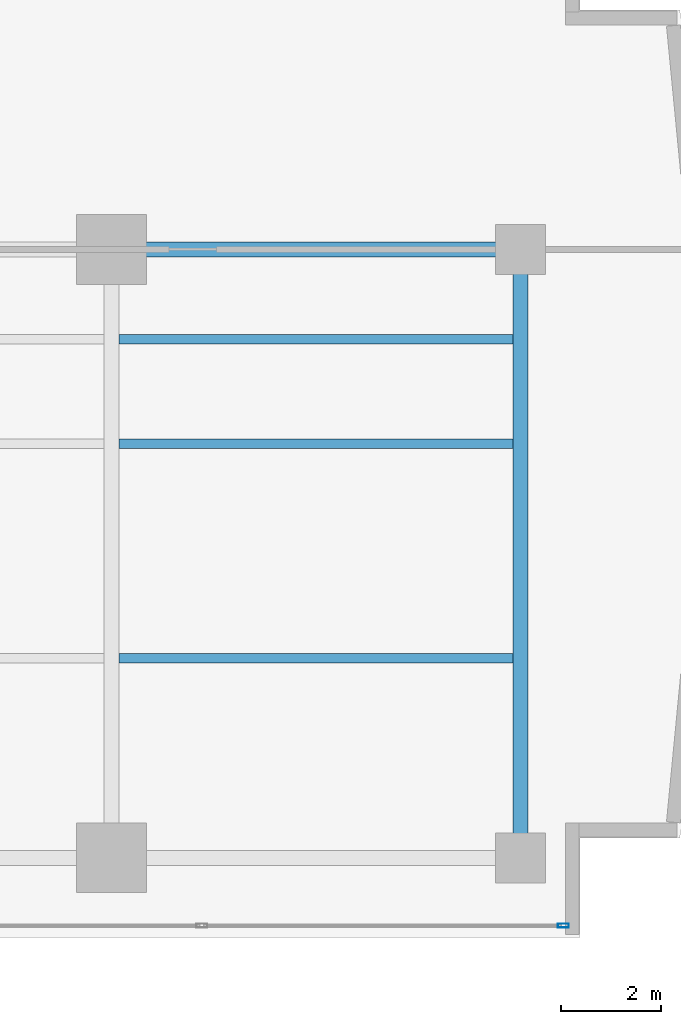
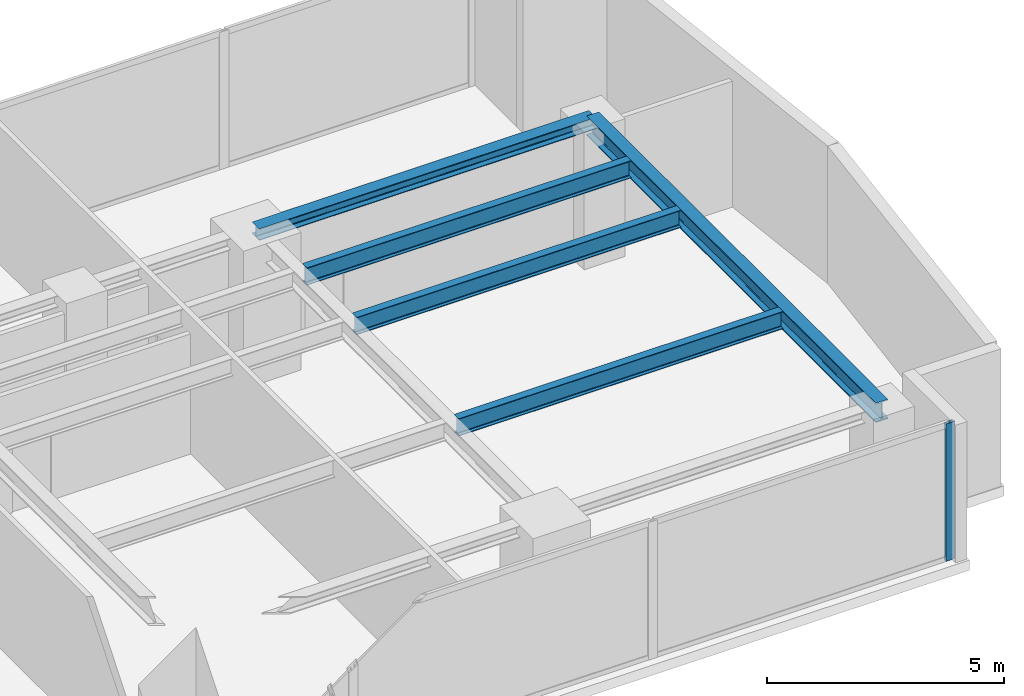
# One storey, part 13 of 28: 5 beams, 1 member, 1 element without a shape of its own.
"""IFC4 building model written with IfcOpenShell, lengths in metres."""

from ifc_helpers import new_model, si_unit, direction, frame, origin, origin_with_axes, origin_2d, place, context, subcontext, project, spatial, hollow_rectangle, i_section, extrude, source, transform, mapped, material, layer, layer_set, material_profile, profile_set, type_object, element, aggregate, save


model = new_model("IFC4")

# Units and contexts
model_context = context("Model", 3, precision=1e-05, world=origin(), true_north=direction((0.0, 1.0)))
body_context = subcontext(model_context, "Body", "Model", "MODEL_VIEW")
ifc_project = project(units=[si_unit("LENGTHUNIT", "METRE"), si_unit("AREAUNIT", "SQUARE_METRE"), si_unit("VOLUMEUNIT", "CUBIC_METRE"), si_unit("PLANEANGLEUNIT", "RADIAN"), si_unit("MASSUNIT", "GRAM", prefix="KILO")], contexts=[model_context])

# Site, building, storey
site_placement = place(None, origin())
site = spatial("IfcSite", under=ifc_project, at=site_placement, CompositionType="ELEMENT")
building_placement = place(site_placement, origin())
building = spatial("IfcBuilding", under=site, at=building_placement, Name="Kolvaren Waterfront Exchange", CompositionType="ELEMENT")
storey_placement = place(building_placement, frame((0.0, 0.0, 133.5)))
storey = spatial("IfcBuildingStorey", under=building, at=storey_placement, Name="L34", CompositionType="ELEMENT", Elevation=133.5)

# Beams
ifc_material_1 = material(Name="Steel S355", Category="steel")
ifc_material_profile_1 = material_profile(ifc_material_1, i_section(OverallWidth=0.300048828125, OverallDepth=0.300048828125, WebThickness=0.010986328125, FlangeThickness=0.01904296875, FilletRadius=0.027099609375, at=origin_2d()), Name="HEB300")
ifc_profile_set_1 = profile_set([ifc_material_profile_1], Name="Steel S355")
beam_type_1 = type_object("IfcBeamType", Name="STR-BM-HEB300", PredefinedType="SPANDREL", material=ifc_profile_set_1)
beam_1_placement = place(storey_placement, frame((45.60009765625, 17.39990234375, 3.389892578125), z_axis=(1.0, 0.0, 0.0), x_axis=(0.0, 1.0, 0.0)))
element("IfcBeam", 1, at=beam_1_placement, inside=storey, type_object=beam_type_1, Name="L34 east-arm spandrel N4", PredefinedType="SPANDREL", context=body_context, shape_type="SweptSolid", body=[
    extrude(i_section(OverallWidth=0.300048828125, OverallDepth=0.300048828125, WebThickness=0.010986328125, FlangeThickness=0.01904296875, FilletRadius=0.027099609375, at=origin_2d()), origin(), (0.0, 0.0, 1.0), 8.199951171875),
])
ifc_material_profile_2 = material_profile(ifc_material_1, i_section(OverallWidth=0.300048828125, OverallDepth=0.5, WebThickness=0.014404296875, FlangeThickness=0.028076171875, FilletRadius=0.027099609375, at=origin_2d()), Name="HEB500")
ifc_profile_set_2 = profile_set([ifc_material_profile_2], Name="Steel S355")
beam_type_2 = type_object("IfcBeamType", Name="STR-BM-HEB500", PredefinedType="BEAM", material=ifc_profile_set_2)
beam_2_placement = place(storey_placement, frame((53.800048828125, 5.199951171875, 3.2900390625), z_axis=(0.0, 1.0, 0.0), x_axis=(-1.0, 0.0, 0.0)))
element("IfcBeam", 2, at=beam_2_placement, inside=storey, type_object=beam_type_2, Name="L34 east-arm transverse girder X53", PredefinedType="BEAM", context=body_context, shape_type="SweptSolid", body=[
    extrude(i_section(OverallWidth=0.300048828125, OverallDepth=0.5, WebThickness=0.014404296875, FlangeThickness=0.028076171875, FilletRadius=0.027099609375, at=origin_2d()), origin(), (0.0, 0.0, 1.0), 12.199951171875),
])
ifc_material_profile_3 = material_profile(ifc_material_1, i_section(OverallWidth=0.18994140625, OverallDepth=0.449951171875, WebThickness=0.009521484375, FlangeThickness=0.0146484375, FilletRadius=0.02099609375, at=origin_2d()), Name="IPE450")
ifc_profile_set_3 = profile_set([ifc_material_profile_3], Name="Steel S355")
beam_type_3 = type_object("IfcBeamType", Name="STR-BM-IPE450", PredefinedType="JOIST", material=ifc_profile_set_3)
for number, where, z_axis, x_axis, name in (
    (3, (45.751953125, 13.5, 3.31494140625), (1.0, 0.0, 0.0), (0.0, 1.0, 0.0), "L34 east-arm composite joist 4A"),
    (4, (45.751953125, 15.60009765625, 3.31494140625), (1.0, 0.0, 0.0), (0.0, 1.0, 0.0), "L34 east-arm composite joist 4C"),
    (5, (45.751953125, 9.199951171875, 3.31494140625), (1.0, 0.0, 0.0), (0.0, 1.0, 0.0), "L34 east-arm composite joist 4B"),
):
    element("IfcBeam", number, at=place(storey_placement, frame(where, z_axis=z_axis, x_axis=x_axis)), inside=storey, type_object=beam_type_3, Name=name, PredefinedType="JOIST", context=body_context, shape_type="SweptSolid", body=[
        extrude(i_section(OverallWidth=0.18994140625, OverallDepth=0.449951171875, WebThickness=0.009521484375, FlangeThickness=0.0146484375, FilletRadius=0.02099609375, at=origin_2d()), origin(), (0.0, 0.0, 1.0), 7.89599609375),
    ])

# Curtain wall, member
ifc_material_2 = material(Name="Anodised bronze aluminium 6063-T6", Category="aluminium")
ifc_layer = layer(ifc_material_2, 0.219970703125, Name="Anodised bronze aluminium 6063-T6")
ifc_layer_set = layer_set([ifc_layer], Name="Anodised bronze aluminium 6063-T6")
curtain_wall_type = type_object("IfcCurtainWallType", Name="ARC-CW-SYS1", PredefinedType="USERDEFINED", material=ifc_layer_set)
curtain_wall_placement = place(storey_placement, origin())
curtain_wall = element("IfcCurtainWall", 6, at=curtain_wall_placement, inside=storey, type_object=curtain_wall_type, Name="L34 stick curtain wall CW1 (CW-L34-S)", ObjectType="STICK CURTAIN WALL", PredefinedType="USERDEFINED")
ifc_material_3 = material(Name="Anodised aluminium 6063-T6", Category="aluminium")
ifc_material_profile_4 = material_profile(ifc_material_3, hollow_rectangle(XDim=0.080078125, YDim=0.219970703125, WallThickness=0.0048828125, at=origin_2d()), Name="ALU-MUL-220x80x5")
ifc_profile_set_4 = profile_set([ifc_material_profile_4], Name="Anodised aluminium 6063-T6")
member_type = type_object("IfcMemberType", Name="ARC-CWM-220", PredefinedType="MULLION", material=ifc_profile_set_4)
shared_shape = source(origin_with_axes(), body_context, "Body", "SweptSolid", [
    extrude(hollow_rectangle(XDim=0.080078125, YDim=0.219970703125, WallThickness=0.0048828125, at=origin_2d()), origin(), (0.0, 0.0, 1.0), 3.5400390625),
])
member_placement = place(storey_placement, frame((54.659912109375, 3.840087890625, 0.0), z_axis=(0.0, 0.0, 1.0), x_axis=(0.0, 1.0, 0.0)))
member = element("IfcMember", 7, at=member_placement, type_object=member_type, Name="CW1 mullion 8", PredefinedType="MULLION", context=body_context, shape_type="MappedRepresentation", body=[
    mapped(shared_shape, transform((0.0, 0.0, 0.0), x_axis=(1.0, 0.0, 0.0), y_axis=(0.0, 1.0, 0.0), z_axis=(0.0, 0.0, 1.0), scale=1.0)),
])
aggregate(curtain_wall, [member])

save(model, "model.ifc")
